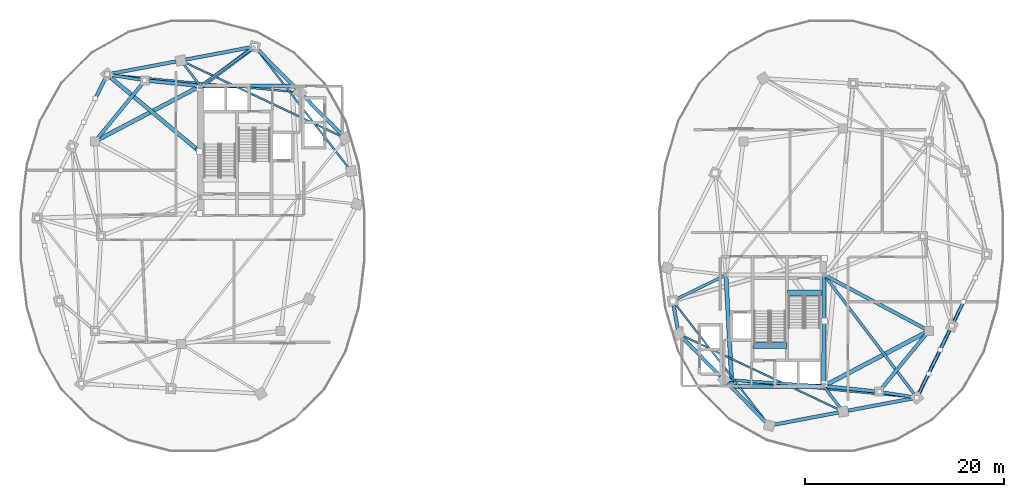
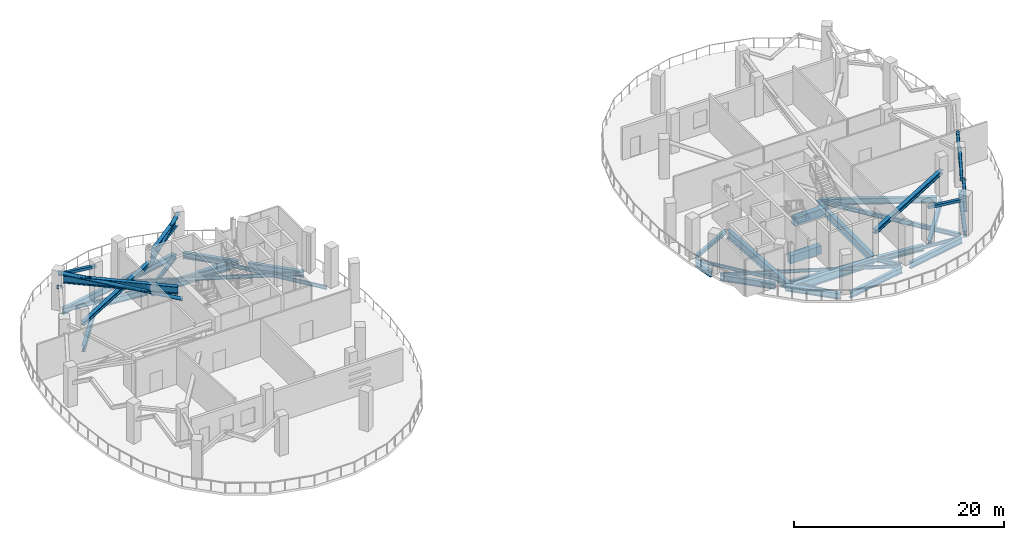
# One storey, part 4 of 14: 35 beams, 11 members.
"""IFC4 building model written with IfcOpenShell, lengths in metres."""

from ifc_helpers import new_model, si_unit, direction, frame, origin, origin_2d, place, context, subcontext, project, spatial, rectangle, hollow_rectangle, hollow_circle, i_section, extrude, material, material_profile, profile_set, type_object, element, save


model = new_model("IFC4")

# Units and contexts
model_context = context("Model", 3, precision=1e-05, world=origin(), true_north=direction((0.0, 1.0)))
body_context = subcontext(model_context, "Body", "Model", "MODEL_VIEW")
ifc_project = project(units=[si_unit("LENGTHUNIT", "METRE"), si_unit("AREAUNIT", "SQUARE_METRE"), si_unit("VOLUMEUNIT", "CUBIC_METRE"), si_unit("PLANEANGLEUNIT", "RADIAN"), si_unit("MASSUNIT", "GRAM", prefix="KILO"), si_unit("THERMODYNAMICTEMPERATUREUNIT", "KELVIN"), si_unit("POWERUNIT", "WATT")], contexts=[model_context])

# Site, building, storey
site_placement = place(None, origin())
site = spatial("IfcSite", under=ifc_project, at=site_placement, CompositionType="ELEMENT")
building_placement = place(site_placement, origin())
building = spatial("IfcBuilding", under=site, at=building_placement, Name="Cundina Bronze Exchange", CompositionType="ELEMENT")
storey_placement = place(building_placement, frame((0.0, 0.0, 187.199951171875)))
storey = spatial("IfcBuildingStorey", under=building, at=storey_placement, Name="L49", CompositionType="ELEMENT", Elevation=187.199951171875)

# Beams
ifc_material_1 = material(Name="Concrete C60/75", Category="concrete")
ifc_material_profile_1 = material_profile(ifc_material_1, rectangle(XDim=0.60009765625, YDim=0.949951171875, at=origin_2d()), Name="RC600X950", Category="concrete")
ifc_profile_set_1 = profile_set([ifc_material_profile_1], Name="Concrete C60/75")
beam_type_1 = type_object("IfcBeamType", Name="BM-COUP-RC950", PredefinedType="LINTEL", material=ifc_profile_set_1)
beam_1_placement = place(storey_placement, frame((27.6201171875, -5.719970703125, -0.474853515625), z_axis=(1.0, 0.0, 0.0), x_axis=(0.0, 1.0, 0.0)))
element("IfcBeam", 1, at=beam_1_placement, inside=storey, type_object=beam_type_1, Name="L49 Stair E1 Landing Header Beam", PredefinedType="LINTEL", context=body_context, shape_type="SweptSolid", body=[
    extrude(rectangle(XDim=0.60009765625, YDim=0.949951171875, at=origin_2d()), origin(), (0.0, 0.0, 1.0), 3.39990234375),
])
beam_2_placement = place(storey_placement, frame((24.159912109375, -10.97998046875, -0.474853515625), z_axis=(1.0, 0.0, 0.0), x_axis=(0.0, 1.0, 0.0)))
element("IfcBeam", 2, at=beam_2_placement, inside=storey, type_object=beam_type_1, Name="L49 Stair E2 Landing Header Beam", PredefinedType="LINTEL", context=body_context, shape_type="SweptSolid", body=[
    extrude(rectangle(XDim=0.60009765625, YDim=0.949951171875, at=origin_2d()), origin(), (0.0, 0.0, 1.0), 3.400146484375),
])
ifc_material_2 = material(Name="Steel ASTM A992 Grade 50", Category="steel")
ifc_material_profile_2 = material_profile(ifc_material_2, i_section(OverallWidth=0.280029296875, OverallDepth=0.462890625, WebThickness=0.0107421875, FlangeThickness=0.017333984375, FilletRadius=0.011962890625, at=origin_2d()), Name="W18X76", Category="steel")
ifc_profile_set_2 = profile_set([ifc_material_profile_2], Name="Steel ASTM A992 Grade 50")
beam_type_2 = type_object("IfcBeamType", Name="BM-FLR-W18A", PredefinedType="BEAM", material=ifc_profile_set_2)
beam_3_placement = place(storey_placement, frame((21.2666015625, -3.989501953125, -0.511474609375), z_axis=(-0.898604300669, -0.438759969481, 0.0), x_axis=(0.438759969481, -0.898604300669, 0.0)))
element("IfcBeam", 3, at=beam_3_placement, inside=storey, type_object=beam_type_2, Name="L49 Leg E Chordal Floor Beam 01", PredefinedType="BEAM", context=body_context, shape_type="SweptSolid", body=[
    extrude(i_section(OverallWidth=0.280029296875, OverallDepth=0.462890625, WebThickness=0.0107421875, FlangeThickness=0.017333984375, FilletRadius=0.011962890625, at=origin_2d()), origin(), (0.0, 0.0, 1.0), 5.23388671875),
])
beam_4_placement = place(storey_placement, frame((31.04638671875, -15.036865234375, -0.511474609375), z_axis=(-0.99789334888, 0.064875760192, 0.0), x_axis=(-0.064875760192, -0.99789334888, 0.0)))
element("IfcBeam", 4, at=beam_4_placement, inside=storey, type_object=beam_type_2, Name="L49 Leg E Chordal Floor Beam 03", PredefinedType="BEAM", context=body_context, shape_type="SweptSolid", body=[
    extrude(i_section(OverallWidth=0.280029296875, OverallDepth=0.462890625, WebThickness=0.0107421875, FlangeThickness=0.017333984375, FilletRadius=0.011962890625, at=origin_2d()), origin(), (0.0, 0.0, 1.0), 9.328857421875),
])
beam_5_placement = place(storey_placement, frame((31.373779296875, -15.2119140625, -0.511474609375), z_axis=(0.607450107571, -0.794357832977, 0.0), x_axis=(0.794357832977, 0.607450107571, 0.0)))
element("IfcBeam", 5, at=beam_5_placement, inside=storey, type_object=beam_type_2, Name="L49 Leg E Chordal Floor Beam 05", PredefinedType="BEAM", context=body_context, shape_type="SweptSolid", body=[
    extrude(i_section(OverallWidth=0.280029296875, OverallDepth=0.462890625, WebThickness=0.0107421875, FlangeThickness=0.017333984375, FilletRadius=0.011962890625, at=origin_2d()), origin(), (0.0, 0.0, 1.0), 2.518310546875),
])
beam_6_placement = place(storey_placement, frame((31.423095703125, -4.062744140625, -0.511474609375), z_axis=(0.603103901721, -0.797662637792, 0.0), x_axis=(0.797662637792, 0.603103901721, 0.0)))
element("IfcBeam", 6, at=beam_6_placement, inside=storey, type_object=beam_type_2, Name="L49 Leg E Chordal Floor Beam 06", PredefinedType="BEAM", context=body_context, shape_type="SweptSolid", body=[
    extrude(i_section(OverallWidth=0.280029296875, OverallDepth=0.462890625, WebThickness=0.0107421875, FlangeThickness=0.017333984375, FilletRadius=0.011962890625, at=origin_2d()), origin(), (0.0, 0.0, 1.0), 14.72802734375),
])
ifc_material_profile_3 = material_profile(ifc_material_2, i_section(OverallWidth=0.2119140625, OverallDepth=0.5439453125, WebThickness=0.01318359375, FlangeThickness=0.021240234375, FilletRadius=0.013916015625, at=origin_2d()), Name="W21X83", Category="steel")
ifc_profile_set_3 = profile_set([ifc_material_profile_3], Name="Steel ASTM A992 Grade 50")
beam_type_3 = type_object("IfcBeamType", Name="BM-FLR-W21A", PredefinedType="BEAM", material=ifc_profile_set_3)
beam_7_placement = place(storey_placement, frame((-31.084716796875, 15.169677734375, -0.552001953125), z_axis=(0.809693047063, 0.586853618492, 0.0), x_axis=(-0.586853618492, 0.809693047063, 0.0)))
element("IfcBeam", 7, at=beam_7_placement, inside=storey, type_object=beam_type_3, Name="L49 Leg W Radial Floor Beam 04", PredefinedType="BEAM", context=body_context, shape_type="SweptSolid", body=[
    extrude(i_section(OverallWidth=0.2119140625, OverallDepth=0.5439453125, WebThickness=0.01318359375, FlangeThickness=0.021240234375, FilletRadius=0.013916015625, at=origin_2d()), origin(), (0.0, 0.0, 1.0), 6.038818359375),
])
beam_8_placement = place(storey_placement, frame((-31.373779296875, 15.2119140625, -0.552001953125), z_axis=(-0.607450107571, 0.794357832977, 0.0), x_axis=(-0.794357832977, -0.607450107571, 0.0)))
element("IfcBeam", 8, at=beam_8_placement, inside=storey, type_object=beam_type_3, Name="L49 Leg W Radial Floor Beam 05", PredefinedType="BEAM", context=body_context, shape_type="SweptSolid", body=[
    extrude(i_section(OverallWidth=0.2119140625, OverallDepth=0.5439453125, WebThickness=0.01318359375, FlangeThickness=0.021240234375, FilletRadius=0.013916015625, at=origin_2d()), origin(), (0.0, 0.0, 1.0), 2.518310546875),
])
ifc_material_profile_4 = material_profile(ifc_material_2, i_section(OverallWidth=0.172119140625, OverallDepth=0.35791015625, WebThickness=0.0078125, FlangeThickness=0.01318359375, FilletRadius=0.010009765625, at=origin_2d()), Name="W14X38", Category="steel")
ifc_profile_set_4 = profile_set([ifc_material_profile_4], Name="Steel ASTM A992 Grade 50")
beam_type_4 = type_object("IfcBeamType", Name="BM-JST-W14", PredefinedType="JOIST", material=ifc_profile_set_4)
beam_9_placement = place(storey_placement, frame((16.423583984375, -6.885986328125, -0.458984375), z_axis=(0.61208354334, -0.790793105668, 0.0), x_axis=(0.790793105668, 0.61208354334, 0.0)))
element("IfcBeam", 9, at=beam_9_placement, inside=storey, type_object=beam_type_4, Name="L49 Leg E Lobe Floor Joist 01-04", PredefinedType="JOIST", context=body_context, shape_type="SweptSolid", body=[
    extrude(i_section(OverallWidth=0.172119140625, OverallDepth=0.35791015625, WebThickness=0.0078125, FlangeThickness=0.01318359375, FilletRadius=0.010009765625, at=origin_2d()), origin(), (0.0, 0.0, 1.0), 14.830810546875),
])
beam_10_placement = place(storey_placement, frame((17.14111328125, -10.008544921875, -0.458984375), z_axis=(0.904074252188, -0.427375416385, 0.0), x_axis=(0.427375416385, 0.904074252188, 0.0)))
element("IfcBeam", 10, at=beam_10_placement, inside=storey, type_object=beam_type_4, Name="L49 Leg E Lobe Floor Joist 02-05", PredefinedType="JOIST", context=body_context, shape_type="SweptSolid", body=[
    extrude(i_section(OverallWidth=0.172119140625, OverallDepth=0.35791015625, WebThickness=0.0078125, FlangeThickness=0.01318359375, FilletRadius=0.010009765625, at=origin_2d()), origin(), (0.0, 0.0, 1.0), 17.274658203125),
])
beam_11_placement = place(storey_placement, frame((21.73583984375, -14.4453125, -0.458984375), z_axis=(0.995701840093, -0.092616659595, 0.0), x_axis=(0.092616659595, 0.995701840093, 0.0)))
element("IfcBeam", 11, at=beam_11_placement, inside=storey, type_object=beam_type_4, Name="L49 Leg E Lobe Floor Joist 03-06", PredefinedType="JOIST", context=body_context, shape_type="SweptSolid", body=[
    extrude(i_section(OverallWidth=0.172119140625, OverallDepth=0.35791015625, WebThickness=0.0078125, FlangeThickness=0.01318359375, FilletRadius=0.010009765625, at=origin_2d()), origin(), (0.0, 0.0, 1.0), 18.45751953125),
])
ifc_material_profile_5 = material_profile(ifc_material_2, i_section(OverallWidth=0.178955078125, OverallDepth=0.409912109375, WebThickness=0.0087890625, FlangeThickness=0.014404296875, FilletRadius=0.010986328125, at=origin_2d()), Name="W16X45", Category="steel")
ifc_profile_set_5 = profile_set([ifc_material_profile_5], Name="Steel ASTM A992 Grade 50")
beam_type_5 = type_object("IfcBeamType", Name="BM-JST-W16", PredefinedType="JOIST", material=ifc_profile_set_5)
beam_12_placement = place(storey_placement, frame((-16.423583984375, 6.885986328125, -0.48486328125), z_axis=(-0.61208354334, 0.790793105668, 0.0), x_axis=(-0.790793105668, -0.61208354334, 0.0)))
element("IfcBeam", 12, at=beam_12_placement, inside=storey, type_object=beam_type_5, Name="L49 Leg W Lobe Floor Joist 01-04", PredefinedType="JOIST", context=body_context, shape_type="SweptSolid", body=[
    extrude(i_section(OverallWidth=0.178955078125, OverallDepth=0.409912109375, WebThickness=0.0087890625, FlangeThickness=0.014404296875, FilletRadius=0.010986328125, at=origin_2d()), origin(), (0.0, 0.0, 1.0), 14.830810546875),
])
beam_13_placement = place(storey_placement, frame((-17.14111328125, 10.008544921875, -0.48486328125), z_axis=(-0.904074252188, 0.427375416385, 0.0), x_axis=(-0.427375416385, -0.904074252188, 0.0)))
element("IfcBeam", 13, at=beam_13_placement, inside=storey, type_object=beam_type_5, Name="L49 Leg W Lobe Floor Joist 02-05", PredefinedType="JOIST", context=body_context, shape_type="SweptSolid", body=[
    extrude(i_section(OverallWidth=0.178955078125, OverallDepth=0.409912109375, WebThickness=0.0087890625, FlangeThickness=0.014404296875, FilletRadius=0.010986328125, at=origin_2d()), origin(), (0.0, 0.0, 1.0), 17.274658203125),
])
beam_14_placement = place(storey_placement, frame((-21.73583984375, 14.4453125, -0.48486328125), z_axis=(-0.995701840093, 0.092616659595, 0.0), x_axis=(-0.092616659595, -0.995701840093, 0.0)))
element("IfcBeam", 14, at=beam_14_placement, inside=storey, type_object=beam_type_5, Name="L49 Leg W Lobe Floor Joist 03-06", PredefinedType="JOIST", context=body_context, shape_type="SweptSolid", body=[
    extrude(i_section(OverallWidth=0.178955078125, OverallDepth=0.409912109375, WebThickness=0.0087890625, FlangeThickness=0.014404296875, FilletRadius=0.010986328125, at=origin_2d()), origin(), (0.0, 0.0, 1.0), 18.45751953125),
])
ifc_material_profile_6 = material_profile(ifc_material_2, i_section(OverallWidth=0.39990234375, OverallDepth=0.85498046875, WebThickness=0.018310546875, FlangeThickness=0.029296875, FilletRadius=0.02001953125, at=origin_2d()), Name="W33X201", Category="steel")
ifc_profile_set_6 = profile_set([ifc_material_profile_6], Name="Steel ASTM A992 Grade 50")
beam_type_6 = type_object("IfcBeamType", Name="BM-OUT-W33", PredefinedType="USERDEFINED", material=ifc_profile_set_6)
beam_15_placement = place(storey_placement, frame((-30.989501953125, 15.119384765625, 3.462646484375), z_axis=(0.800845073423, 0.5988715792, 0.0), x_axis=(-0.5988715792, 0.800845073423, 0.0)))
element("IfcBeam", 15, at=beam_15_placement, inside=storey, type_object=beam_type_6, Name="L49 W Outrigger Upper Tie Chord 1", ObjectType="GIRDER", PredefinedType="USERDEFINED", context=body_context, shape_type="SweptSolid", body=[
    extrude(i_section(OverallWidth=0.39990234375, OverallDepth=0.85498046875, WebThickness=0.018310546875, FlangeThickness=0.029296875, FilletRadius=0.02001953125, at=origin_2d()), origin(), (0.0, 0.0, 1.0), 5.991943359375),
])
beam_16_placement = place(storey_placement, frame((-31.69580078125, 8.787841796875, 3.462646484375), z_axis=(-0.768561986852, 0.639775329602, 0.0), x_axis=(-0.639775329602, -0.768561986852, 0.0)))
element("IfcBeam", 16, at=beam_16_placement, inside=storey, type_object=beam_type_6, Name="L49 W Outrigger Upper Tie Chord 2", ObjectType="GIRDER", PredefinedType="USERDEFINED", context=body_context, shape_type="SweptSolid", body=[
    extrude(i_section(OverallWidth=0.39990234375, OverallDepth=0.85498046875, WebThickness=0.018310546875, FlangeThickness=0.029296875, FilletRadius=0.02001953125, at=origin_2d()), origin(), (0.0, 0.0, 1.0), 11.097412109375),
])
ifc_material_profile_7 = material_profile(ifc_material_2, i_section(OverallWidth=0.35498046875, OverallDepth=0.695068359375, WebThickness=0.015380859375, FlangeThickness=0.02490234375, FilletRadius=0.01806640625, at=origin_2d()), Name="W27X146", Category="steel")
ifc_profile_set_7 = profile_set([ifc_material_profile_7], Name="Steel ASTM A992 Grade 50")
beam_type_7 = type_object("IfcBeamType", Name="BM-RING-W27", PredefinedType="USERDEFINED", material=ifc_profile_set_7)
beam_17_placement = place(storey_placement, frame((-31.452880859375, 15.070068359375, -0.62744140625), z_axis=(-0.995123020608, 0.098641643622, 0.0), x_axis=(-0.098641643622, -0.995123020608, 0.0)))
element("IfcBeam", 17, at=beam_17_placement, inside=storey, type_object=beam_type_7, Name="L49 W Inner Structural Ring Girder 01", ObjectType="GIRDER", PredefinedType="USERDEFINED", context=body_context, shape_type="SweptSolid", body=[
    extrude(i_section(OverallWidth=0.35498046875, OverallDepth=0.695068359375, WebThickness=0.015380859375, FlangeThickness=0.02490234375, FilletRadius=0.01806640625, at=origin_2d()), origin(), (0.0, 0.0, 1.0), 4.935302734375),
])
beam_18_placement = place(storey_placement, frame((-37.07763671875, 15.26123046875, -0.62744140625), z_axis=(-0.633912590175, -0.77340469873, 0.0), x_axis=(0.77340469873, -0.633912590175, 0.0)))
element("IfcBeam", 18, at=beam_18_placement, inside=storey, type_object=beam_type_7, Name="L49 W Inner Structural Ring Girder 02", ObjectType="GIRDER", PredefinedType="USERDEFINED", context=body_context, shape_type="SweptSolid", body=[
    extrude(i_section(OverallWidth=0.35498046875, OverallDepth=0.695068359375, WebThickness=0.015380859375, FlangeThickness=0.02490234375, FilletRadius=0.01806640625, at=origin_2d()), origin(), (0.0, 0.0, 1.0), 7.01123046875),
])
beam_19_placement = place(storey_placement, frame((31.452880859375, -15.070068359375, -0.62744140625), z_axis=(0.995123020608, -0.098641643622, 0.0), x_axis=(0.098641643622, 0.995123020608, 0.0)))
element("IfcBeam", 19, at=beam_19_placement, inside=storey, type_object=beam_type_7, Name="L49 E Inner Structural Ring Girder 01", ObjectType="GIRDER", PredefinedType="USERDEFINED", context=body_context, shape_type="SweptSolid", body=[
    extrude(i_section(OverallWidth=0.35498046875, OverallDepth=0.695068359375, WebThickness=0.015380859375, FlangeThickness=0.02490234375, FilletRadius=0.01806640625, at=origin_2d()), origin(), (0.0, 0.0, 1.0), 4.935302734375),
])
beam_20_placement = place(storey_placement, frame((37.07763671875, -15.26123046875, -0.62744140625), z_axis=(0.633912590175, 0.77340469873, 0.0), x_axis=(-0.77340469873, 0.633912590175, 0.0)))
element("IfcBeam", 20, at=beam_20_placement, inside=storey, type_object=beam_type_7, Name="L49 E Inner Structural Ring Girder 02", ObjectType="GIRDER", PredefinedType="USERDEFINED", context=body_context, shape_type="SweptSolid", body=[
    extrude(i_section(OverallWidth=0.35498046875, OverallDepth=0.695068359375, WebThickness=0.015380859375, FlangeThickness=0.02490234375, FilletRadius=0.01806640625, at=origin_2d()), origin(), (0.0, 0.0, 1.0), 7.01123046875),
])
beam_21_placement = place(storey_placement, frame((31.47998046875, -3.99609375, -0.62744140625), z_axis=(0.88235534237, -0.470583733028, 0.0), x_axis=(0.470583733028, 0.88235534237, 0.0)))
element("IfcBeam", 21, at=beam_21_placement, inside=storey, type_object=beam_type_7, Name="L49 E Core-to-Waist Tie Beam 2", ObjectType="GIRDER", PredefinedType="USERDEFINED", context=body_context, shape_type="SweptSolid", body=[
    extrude(i_section(OverallWidth=0.35498046875, OverallDepth=0.695068359375, WebThickness=0.015380859375, FlangeThickness=0.02490234375, FilletRadius=0.01806640625, at=origin_2d()), origin(), (0.0, 0.0, 1.0), 11.258056640625),
])
beam_22_placement = place(storey_placement, frame((-17.043212890625, 10.14697265625, -0.62744140625), z_axis=(-0.703230112979, 0.710962311378, 0.0), x_axis=(-0.710962311378, -0.703230112979, 0.0)))
element("IfcBeam", 22, at=beam_22_placement, inside=storey, type_object=beam_type_7, Name="L49 W Perimeter Ring Girder 02", ObjectType="GIRDER", PredefinedType="USERDEFINED", context=body_context, shape_type="SweptSolid", body=[
    extrude(i_section(OverallWidth=0.35498046875, OverallDepth=0.695068359375, WebThickness=0.015380859375, FlangeThickness=0.02490234375, FilletRadius=0.01806640625, at=origin_2d()), origin(), (0.0, 0.0, 1.0), 5.493896484375),
])
beam_23_placement = place(storey_placement, frame((-21.59326171875, 14.746826171875, -0.62744140625), z_axis=(-0.703207895705, 0.710984286337, 0.0), x_axis=(-0.710984286337, -0.703207895705, 0.0)))
element("IfcBeam", 23, at=beam_23_placement, inside=storey, type_object=beam_type_7, Name="L49 W Perimeter Ring Girder 03", ObjectType="GIRDER", PredefinedType="USERDEFINED", context=body_context, shape_type="SweptSolid", body=[
    extrude(i_section(OverallWidth=0.35498046875, OverallDepth=0.695068359375, WebThickness=0.015380859375, FlangeThickness=0.02490234375, FilletRadius=0.01806640625, at=origin_2d()), origin(), (0.0, 0.0, 1.0), 5.494140625),
])
beam_24_placement = place(storey_placement, frame((-26.279541015625, 18.9091796875, -0.62744140625), z_axis=(-0.982571532667, -0.185884865421, 0.0), x_axis=(0.185884865421, -0.982571532667, 0.0)))
element("IfcBeam", 24, at=beam_24_placement, inside=storey, type_object=beam_type_7, Name="L49 W Perimeter Ring Girder 04", ObjectType="GIRDER", PredefinedType="USERDEFINED", context=body_context, shape_type="SweptSolid", body=[
    extrude(i_section(OverallWidth=0.35498046875, OverallDepth=0.695068359375, WebThickness=0.015380859375, FlangeThickness=0.02490234375, FilletRadius=0.01806640625, at=origin_2d()), origin(), (0.0, 0.0, 1.0), 6.55517578125),
])
beam_25_placement = place(storey_placement, frame((-33.679443359375, 17.50927734375, -0.62744140625), z_axis=(-0.982572819495, -0.185878063226, 0.0), x_axis=(0.185878063226, -0.982572819495, 0.0)))
element("IfcBeam", 25, at=beam_25_placement, inside=storey, type_object=beam_type_7, Name="L49 W Perimeter Ring Girder 05", ObjectType="GIRDER", PredefinedType="USERDEFINED", context=body_context, shape_type="SweptSolid", body=[
    extrude(i_section(OverallWidth=0.35498046875, OverallDepth=0.695068359375, WebThickness=0.015380859375, FlangeThickness=0.02490234375, FilletRadius=0.01806640625, at=origin_2d()), origin(), (0.0, 0.0, 1.0), 6.555419921875),
])
beam_26_placement = place(storey_placement, frame((16.208740234375, -6.980712890625, -0.62744140625), z_axis=(0.171666718895, -0.985155083032, 0.0), x_axis=(0.985155083032, 0.171666718895, 0.0)))
element("IfcBeam", 26, at=beam_26_placement, inside=storey, type_object=beam_type_7, Name="L49 E Perimeter Ring Girder 01", ObjectType="GIRDER", PredefinedType="USERDEFINED", context=body_context, shape_type="SweptSolid", body=[
    extrude(i_section(OverallWidth=0.35498046875, OverallDepth=0.695068359375, WebThickness=0.015380859375, FlangeThickness=0.02490234375, FilletRadius=0.01806640625, at=origin_2d()), origin(), (0.0, 0.0, 1.0), 2.37353515625),
])
beam_27_placement = place(storey_placement, frame((17.043212890625, -10.14697265625, -0.62744140625), z_axis=(0.703230112979, -0.710962311378, 0.0), x_axis=(0.710962311378, 0.703230112979, 0.0)))
element("IfcBeam", 27, at=beam_27_placement, inside=storey, type_object=beam_type_7, Name="L49 E Perimeter Ring Girder 02", ObjectType="GIRDER", PredefinedType="USERDEFINED", context=body_context, shape_type="SweptSolid", body=[
    extrude(i_section(OverallWidth=0.35498046875, OverallDepth=0.695068359375, WebThickness=0.015380859375, FlangeThickness=0.02490234375, FilletRadius=0.01806640625, at=origin_2d()), origin(), (0.0, 0.0, 1.0), 5.493896484375),
])
beam_28_placement = place(storey_placement, frame((21.59326171875, -14.746826171875, -0.62744140625), z_axis=(0.703207895705, -0.710984286337, 0.0), x_axis=(0.710984286337, 0.703207895705, 0.0)))
element("IfcBeam", 28, at=beam_28_placement, inside=storey, type_object=beam_type_7, Name="L49 E Perimeter Ring Girder 03", ObjectType="GIRDER", PredefinedType="USERDEFINED", context=body_context, shape_type="SweptSolid", body=[
    extrude(i_section(OverallWidth=0.35498046875, OverallDepth=0.695068359375, WebThickness=0.015380859375, FlangeThickness=0.02490234375, FilletRadius=0.01806640625, at=origin_2d()), origin(), (0.0, 0.0, 1.0), 5.494140625),
])
beam_29_placement = place(storey_placement, frame((26.279541015625, -18.9091796875, -0.62744140625), z_axis=(0.982571532667, 0.185884865421, 0.0), x_axis=(-0.185884865421, 0.982571532667, 0.0)))
element("IfcBeam", 29, at=beam_29_placement, inside=storey, type_object=beam_type_7, Name="L49 E Perimeter Ring Girder 04", ObjectType="GIRDER", PredefinedType="USERDEFINED", context=body_context, shape_type="SweptSolid", body=[
    extrude(i_section(OverallWidth=0.35498046875, OverallDepth=0.695068359375, WebThickness=0.015380859375, FlangeThickness=0.02490234375, FilletRadius=0.01806640625, at=origin_2d()), origin(), (0.0, 0.0, 1.0), 6.55517578125),
])
beam_30_placement = place(storey_placement, frame((33.679443359375, -17.50927734375, -0.62744140625), z_axis=(0.982572819495, 0.185878063226, 0.0), x_axis=(-0.185878063226, 0.982572819495, 0.0)))
element("IfcBeam", 30, at=beam_30_placement, inside=storey, type_object=beam_type_7, Name="L49 E Perimeter Ring Girder 05", ObjectType="GIRDER", PredefinedType="USERDEFINED", context=body_context, shape_type="SweptSolid", body=[
    extrude(i_section(OverallWidth=0.35498046875, OverallDepth=0.695068359375, WebThickness=0.015380859375, FlangeThickness=0.02490234375, FilletRadius=0.01806640625, at=origin_2d()), origin(), (0.0, 0.0, 1.0), 6.555419921875),
])
beam_31_placement = place(storey_placement, frame((40.8134765625, -15.760986328125, -0.62744140625), z_axis=(0.437196998825, 0.89936576776, 0.0), x_axis=(-0.89936576776, 0.437196998825, 0.0)))
element("IfcBeam", 31, at=beam_31_placement, inside=storey, type_object=beam_type_7, Name="L49 E Perimeter Ring Girder 06", ObjectType="GIRDER", PredefinedType="USERDEFINED", context=body_context, shape_type="SweptSolid", body=[
    extrude(i_section(OverallWidth=0.35498046875, OverallDepth=0.695068359375, WebThickness=0.015380859375, FlangeThickness=0.02490234375, FilletRadius=0.01806640625, at=origin_2d()), origin(), (0.0, 0.0, 1.0), 7.029541015625),
])
ifc_material_profile_8 = material_profile(ifc_material_2, i_section(OverallWidth=0.41796875, OverallDepth=0.927001953125, WebThickness=0.019287109375, FlangeThickness=0.031982421875, FilletRadius=0.02392578125, at=origin_2d()), Name="W36X231", Category="steel")
ifc_profile_set_8 = profile_set([ifc_material_profile_8], Name="Steel ASTM A992 Grade 50")
beam_type_8 = type_object("IfcBeamType", Name="BM-WRN-W36B", PredefinedType="USERDEFINED", material=ifc_profile_set_8)
beam_32_placement = place(storey_placement, frame((-22.25390625, 15.050048828125, -0.743408203125), z_axis=(-1.0, 0.0, 0.0), x_axis=(0.0, -1.0, 0.0)))
element("IfcBeam", 32, at=beam_32_placement, inside=storey, type_object=beam_type_8, Name="L49 W Core Perimeter Tie Girder 3", ObjectType="GIRDER", PredefinedType="USERDEFINED", context=body_context, shape_type="SweptSolid", body=[
    extrude(i_section(OverallWidth=0.41796875, OverallDepth=0.927001953125, WebThickness=0.019287109375, FlangeThickness=0.031982421875, FilletRadius=0.02392578125, at=origin_2d()), origin(), (0.0, 0.0, 1.0), 8.7919921875),
])
beam_33_placement = place(storey_placement, frame((21.4609375, -4.103759765625, -0.743408203125), z_axis=(0.053739193498, -0.998555005537, 0.0), x_axis=(0.998555005537, 0.053739193498, 0.0)))
element("IfcBeam", 33, at=beam_33_placement, inside=storey, type_object=beam_type_8, Name="L49 E Core Perimeter Tie Girder 2", ObjectType="GIRDER", PredefinedType="USERDEFINED", context=body_context, shape_type="SweptSolid", body=[
    extrude(i_section(OverallWidth=0.41796875, OverallDepth=0.927001953125, WebThickness=0.019287109375, FlangeThickness=0.031982421875, FilletRadius=0.02392578125, at=origin_2d()), origin(), (0.0, 0.0, 1.0), 10.758056640625),
])
beam_34_placement = place(storey_placement, frame((22.25390625, -15.050048828125, -0.743408203125), z_axis=(1.0, 0.0, 0.0), x_axis=(0.0, 1.0, 0.0)))
element("IfcBeam", 34, at=beam_34_placement, inside=storey, type_object=beam_type_8, Name="L49 E Core Perimeter Tie Girder 3", ObjectType="GIRDER", PredefinedType="USERDEFINED", context=body_context, shape_type="SweptSolid", body=[
    extrude(i_section(OverallWidth=0.41796875, OverallDepth=0.927001953125, WebThickness=0.019287109375, FlangeThickness=0.031982421875, FilletRadius=0.02392578125, at=origin_2d()), origin(), (0.0, 0.0, 1.0), 8.7919921875),
])
beam_35_placement = place(storey_placement, frame((31.2509765625, -14.845947265625, -0.743408203125), z_axis=(0.004477329608, 0.99998997671, 0.0), x_axis=(-0.99998997671, 0.004477329608, 0.0)))
element("IfcBeam", 35, at=beam_35_placement, inside=storey, type_object=beam_type_8, Name="L49 E Core Perimeter Tie Girder 4", ObjectType="GIRDER", PredefinedType="USERDEFINED", context=body_context, shape_type="SweptSolid", body=[
    extrude(i_section(OverallWidth=0.41796875, OverallDepth=0.927001953125, WebThickness=0.019287109375, FlangeThickness=0.031982421875, FilletRadius=0.02392578125, at=origin_2d()), origin(), (0.0, 0.0, 1.0), 10.741943359375),
])

# Members
ifc_material_3 = material(Name="Steel ASTM A500 Grade C", Category="steel")
ifc_material_profile_9 = material_profile(ifc_material_3, hollow_circle(Radius=0.162109375, WallThickness=0.01611328125, at=origin_2d()), Name="CHS324X16", Category="steel")
ifc_profile_set_9 = profile_set([ifc_material_profile_9], Name="Steel ASTM A500 Grade C")
member_type_1 = type_object("IfcMemberType", Name="MBR-BLT-CHS324", PredefinedType="BRACE", material=ifc_profile_set_9)
for number, where, z_axis, x_axis, name in (
    (36, (44.10009765625, -9.0, 2.41015625), (0.356744761223, 0.733947468149, 0.577974298163), (-0.899384841713, 0.437157759278, 0.0), "L49 E Perimeter Belt M-Truss Diagonal 2A"),
    (37, (40.60009765625, -16.199951171875, 2.41015625), (0.356744761223, 0.733947468149, 0.577974298163), (-0.899384841713, 0.437157759278, 0.0), "L49 E Perimeter Belt M-Truss Diagonal 4A"),
):
    element("IfcMember", number, at=place(storey_placement, frame(where, z_axis=z_axis, x_axis=x_axis)), inside=storey, type_object=member_type_1, Name=name, PredefinedType="BRACE", context=body_context, shape_type="SweptSolid", body=[
        extrude(hollow_circle(Radius=0.162109375, WallThickness=0.01611328125, at=origin_2d()), origin(), (0.0, 0.0, 1.0), 3.269775390625),
    ])
for number, where, z_axis, x_axis, name in (
    (38, (41.7666015625, -13.800048828125, 4.300048828125), (0.356790369056, 0.733962359948, -0.577927233074), (-0.899366355353, 0.437195790075, 0.0), "L49 E Perimeter Belt M-Truss Diagonal 4B"),
    (39, (42.933349609375, -11.39990234375, 2.41015625), (0.3568099204, 0.733927917458, 0.577958902242), (-0.899348867178, 0.437231763606, 0.0), "L49 E Perimeter Belt M-Truss Diagonal 4C"),
):
    element("IfcMember", number, at=place(storey_placement, frame(where, z_axis=z_axis, x_axis=x_axis)), inside=storey, type_object=member_type_1, Name=name, PredefinedType="BRACE", context=body_context, shape_type="SweptSolid", body=[
        extrude(hollow_circle(Radius=0.162109375, WallThickness=0.01611328125, at=origin_2d()), origin(), (0.0, 0.0, 1.0), 3.27001953125),
    ])
ifc_material_profile_10 = material_profile(ifc_material_3, hollow_rectangle(XDim=0.300048828125, YDim=0.300048828125, WallThickness=0.01611328125, at=origin_2d()), Name="HSS300X300X16", Category="steel")
ifc_profile_set_10 = profile_set([ifc_material_profile_10], Name="Steel ASTM A500 Grade C")
member_type_2 = type_object("IfcMemberType", Name="MBR-BLT-HSS300", PredefinedType="STRUT", material=ifc_profile_set_10)
for number, where, z_axis, x_axis, name in (
    (40, (-36.800048828125, 15.60009765625, 3.89013671875), (-0.98776913913, 0.155923467706, 0.0), (-0.155923467706, -0.98776913913, 0.0), "L49 W Outrigger Collector Strut 4"),
    (41, (36.800048828125, -15.60009765625, 3.89013671875), (0.98776913913, -0.155923467706, 0.0), (0.155923467706, 0.98776913913, 0.0), "L49 E Outrigger Collector Strut 4"),
):
    element("IfcMember", number, at=place(storey_placement, frame(where, z_axis=z_axis, x_axis=x_axis)), inside=storey, type_object=member_type_2, Name=name, PredefinedType="STRUT", context=body_context, shape_type="SweptSolid", body=[
        extrude(hollow_rectangle(XDim=0.300048828125, YDim=0.300048828125, WallThickness=0.01611328125, at=origin_2d()), origin(), (0.0, 0.0, 1.0), 3.84716796875),
    ])
ifc_material_profile_11 = material_profile(ifc_material_3, hollow_rectangle(XDim=0.35009765625, YDim=0.35009765625, WallThickness=0.01904296875, at=origin_2d()), Name="HSS350X350X19", Category="steel")
ifc_profile_set_11 = profile_set([ifc_material_profile_11], Name="Steel ASTM A500 Grade C")
member_type_3 = type_object("IfcMemberType", Name="MBR-BLT-HSS350", PredefinedType="BRACE", material=ifc_profile_set_11)
member_1_placement = place(storey_placement, frame((-40.60009765625, 16.199951171875, 2.41015625), z_axis=(-0.356744761223, -0.733947468149, 0.577974298163), x_axis=(0.899384841713, -0.437157759278, 0.0)))
element("IfcMember", 42, at=member_1_placement, inside=storey, type_object=member_type_3, Name="L49 W Perimeter Belt M-Truss Diagonal 4A", PredefinedType="BRACE", context=body_context, shape_type="SweptSolid", body=[
    extrude(hollow_rectangle(XDim=0.35009765625, YDim=0.35009765625, WallThickness=0.01904296875, at=origin_2d()), origin(), (0.0, 0.0, 1.0), 3.269775390625),
])
ifc_material_profile_12 = material_profile(ifc_material_2, i_section(OverallWidth=0.406005859375, OverallDepth=0.416015625, WebThickness=0.02978515625, FlangeThickness=0.048095703125, FilletRadius=0.01806640625, at=origin_2d()), Name="W14X257", Category="steel")
ifc_profile_set_12 = profile_set([ifc_material_profile_12], Name="Steel ASTM A992 Grade 50")
member_type_4 = type_object("IfcMemberType", Name="MBR-CHORD-W14", PredefinedType="CHORD", material=ifc_profile_set_12)
member_2_placement = place(storey_placement, frame((-31.25, 15.050048828125, 2.650146484375), z_axis=(-0.8850083895, -0.465575075058, 0.0), x_axis=(0.465575075058, -0.8850083895, 0.0)))
element("IfcMember", 43, at=member_2_placement, inside=storey, type_object=member_type_4, Name="L49 West Outrigger Mid-Height Tie Chord 2", PredefinedType="CHORD", context=body_context, shape_type="SweptSolid", body=[
    extrude(i_section(OverallWidth=0.406005859375, OverallDepth=0.416015625, WebThickness=0.02978515625, FlangeThickness=0.048095703125, FilletRadius=0.01806640625, at=origin_2d()), origin(), (0.0, 0.0, 1.0), 11.9208984375),
])
ifc_material_profile_13 = material_profile(ifc_material_2, i_section(OverallWidth=0.424072265625, OverallDepth=0.47412109375, WebThickness=0.047607421875, FlangeThickness=0.0771484375, FilletRadius=0.01806640625, at=origin_2d()), Name="W14X426", Category="steel")
ifc_profile_set_13 = profile_set([ifc_material_profile_13], Name="Steel ASTM A992 Grade 50")
member_type_5 = type_object("IfcMemberType", Name="MBR-CHORD-W14X", PredefinedType="CHORD", material=ifc_profile_set_13)
member_3_placement = place(storey_placement, frame((31.25, -15.050048828125, 2.650146484375), z_axis=(0.8850083895, 0.465575075058, 0.0), x_axis=(-0.465575075058, 0.8850083895, 0.0)))
element("IfcMember", 44, at=member_3_placement, inside=storey, type_object=member_type_5, Name="L49 East Outrigger Mid-Height Tie Chord 2", PredefinedType="CHORD", context=body_context, shape_type="SweptSolid", body=[
    extrude(i_section(OverallWidth=0.424072265625, OverallDepth=0.47412109375, WebThickness=0.047607421875, FlangeThickness=0.0771484375, FilletRadius=0.01806640625, at=origin_2d()), origin(), (0.0, 0.0, 1.0), 11.9208984375),
])
ifc_material_4 = material(Name="Steel ASTM A501 Grade B", Category="steel")
ifc_material_profile_14 = material_profile(ifc_material_4, hollow_circle(Radius=0.202880859375, WallThickness=0.02001953125, at=origin_2d()), Name="CHS406X20", Category="steel")
ifc_profile_set_14 = profile_set([ifc_material_profile_14], Name="Steel ASTM A501 Grade B")
member_type_6 = type_object("IfcMemberType", Name="MBR-OUT-CHS406", PredefinedType="BRACE", material=ifc_profile_set_14)
member_4_placement = place(storey_placement, frame((-31.35009765625, 14.85009765625, 2.449951171875), z_axis=(0.778067056339, 0.581779079912, 0.236948851055), x_axis=(-0.598832557833, 0.800874252101, 0.0)))
element("IfcMember", 45, at=member_4_placement, inside=storey, type_object=member_type_6, Name="L49 W Outrigger Truss Diagonal 1", PredefinedType="BRACE", context=body_context, shape_type="SweptSolid", body=[
    extrude(hollow_circle(Radius=0.202880859375, WallThickness=0.02001953125, at=origin_2d()), origin(), (0.0, 0.0, 1.0), 7.133056640625),
])
member_5_placement = place(storey_placement, frame((-31.35009765625, 8.5, 2.449951171875), z_axis=(-0.761095274033, 0.63355637267, 0.139069430483), x_axis=(-0.639773284379, -0.768563689355, 0.0)))
element("IfcMember", 46, at=member_5_placement, inside=storey, type_object=member_type_6, Name="L49 W Outrigger Truss Diagonal 2", PredefinedType="BRACE", context=body_context, shape_type="SweptSolid", body=[
    extrude(hollow_circle(Radius=0.202880859375, WallThickness=0.02001953125, at=origin_2d()), origin(), (0.0, 0.0, 1.0), 12.153564453125),
])

save(model, "model.ifc")
